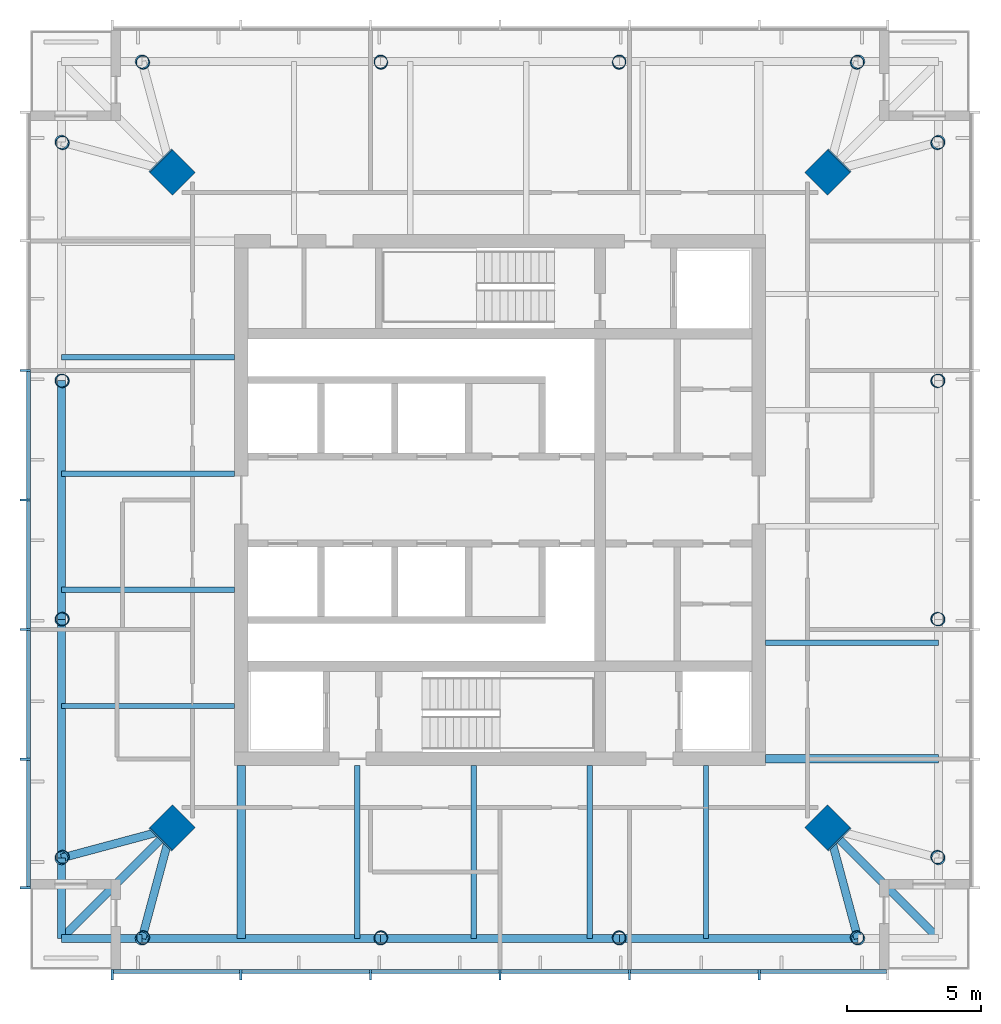
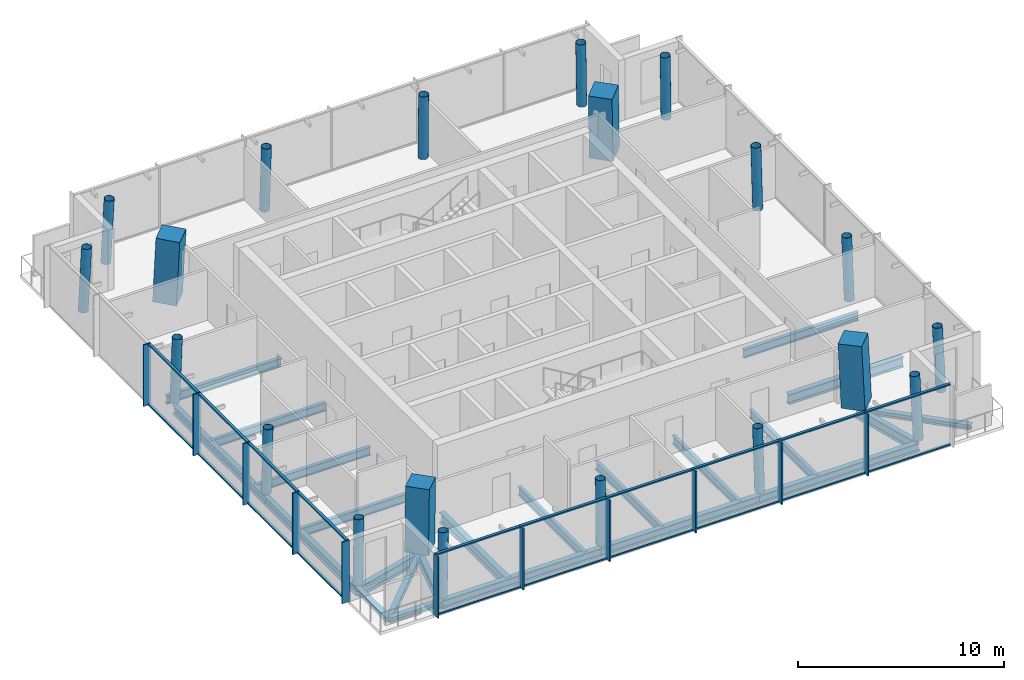
# One storey, part 1 of 7: 31 members, 23 beams, 20 columns, 2 elements without a shape of their own.
"""IFC4 building model written with IfcOpenShell, lengths in metres."""

import ifcopenshell
import ifcopenshell.guid

model = None  # the IFC model being written
_history = None  # IfcOwnerHistory: only IFC2X3 demands one
_inside = {}  # id of a spatial element -> (the spatial element, [elements in it])
_under = {}  # id of a project, library or spatial element -> (it, [spatial elements below it])
_declared = {}  # id of a project -> (the project, [libraries it declares])
_typed = {}  # id of a type object -> (the type object, [elements of that type])
_made_of = {}  # id of a material, layer set ... -> (it, [elements and type objects made of it])


def new_model(schema):
    """Start an empty IFC model of exactly this schema.

    Asked for "IFC4X3", IfcOpenShell would pick the latest addendum, in which some entities
    have other attributes; the version numbers below select the first issue.
    IFC2X3 requires an IfcOwnerHistory on every rooted entity: one is made here for all.
    """
    global model, _history
    if schema == "IFC4X3":
        model = ifcopenshell.file(schema_version=(4, 3, 0, 0))
    else:
        model = ifcopenshell.file(schema=schema)
    _inside.clear()
    _under.clear()
    _declared.clear()
    _typed.clear()
    _made_of.clear()
    _history = None
    if model.schema == "IFC2X3":
        org = make("IfcOrganization", Name="unknown")
        user = make(
            "IfcPersonAndOrganization",
            ThePerson=make("IfcPerson", FamilyName="unknown"),
            TheOrganization=org,
        )
        app = make(
            "IfcApplication",
            ApplicationDeveloper=org,
            Version="unknown",
            ApplicationFullName="unknown",
            ApplicationIdentifier="unknown",
        )
        _history = make(
            "IfcOwnerHistory",
            OwningUser=user,
            OwningApplication=app,
            ChangeAction="ADDED",
            CreationDate=0,
        )
    return model


def make(cls, **values):
    """One entity of the class cls with the attributes given. An attribute that is None is left unset."""
    return model.create_entity(
        cls, **{name: value for name, value in values.items() if value is not None}
    )


def rooted(cls, **values):
    """An entity with a GlobalId (a new one), such as an element, a storey or a relation."""
    return make(cls, GlobalId=ifcopenshell.guid.new(), OwnerHistory=_history, **values)


def si_unit(unit_type, name, prefix=None):
    """IfcSIUnit, for example si_unit("LENGTHUNIT", "METRE", prefix="MILLI")."""
    return make("IfcSIUnit", UnitType=unit_type, Prefix=prefix, Name=name)


def assignment(units):
    """IfcUnitAssignment: the units of a project."""
    return None if units is None else make("IfcUnitAssignment", Units=units)


def point(xyz):
    """IfcCartesianPoint."""
    return None if xyz is None else make("IfcCartesianPoint", Coordinates=xyz)


def direction(xyz):
    """IfcDirection."""
    return None if xyz is None else make("IfcDirection", DirectionRatios=xyz)


def frame(location, z_axis=None, x_axis=None):
    """IfcAxis2Placement3D, a coordinate frame: its origin and axes. An axis left out is left unset."""
    return make(
        "IfcAxis2Placement3D",
        Location=point(location),
        Axis=direction(z_axis),
        RefDirection=direction(x_axis),
    )


def frame_2d(location, x_axis=None):
    """IfcAxis2Placement2D, a coordinate frame in the plane: its origin and x axis."""
    return make(
        "IfcAxis2Placement2D", Location=point(location), RefDirection=direction(x_axis)
    )


def origin():
    """The frame at (0, 0, 0) with its axes left unset."""
    return frame((0.0, 0.0, 0.0))


def origin_2d():
    """The frame at (0, 0) in the plane with its x axis left unset."""
    return frame_2d((0.0, 0.0))


def place(relative_to, where):
    """IfcLocalPlacement: puts the frame where relative to a parent placement (None: the world)."""
    return make(
        "IfcLocalPlacement", PlacementRelTo=relative_to, RelativePlacement=where
    )


def context(
    kind, dimensions, precision=None, world=None, true_north=None, identifier=None
):
    """IfcGeometricRepresentationContext, for example the 3D "Model" context."""
    return make(
        "IfcGeometricRepresentationContext",
        ContextIdentifier=identifier,
        ContextType=kind,
        CoordinateSpaceDimension=dimensions,
        Precision=precision,
        WorldCoordinateSystem=world,
        TrueNorth=true_north,
    )


def subcontext(parent, identifier, kind, view, scale=None):
    """IfcGeometricRepresentationSubContext, for example "Body" below "Model"."""
    return make(
        "IfcGeometricRepresentationSubContext",
        ContextIdentifier=identifier,
        ContextType=kind,
        ParentContext=parent,
        TargetScale=scale,
        TargetView=view,
    )


def project(units=None, contexts=None):
    """IfcProject with its units and contexts."""
    return rooted(
        "IfcProject",
        Name="project",
        RepresentationContexts=contexts,
        UnitsInContext=assignment(units),
    )


def spatial(cls, under=None, at=None, **own):
    """A site, building, storey or space (cls), placed at a placement, below another one or the project."""
    s = rooted(cls, ObjectPlacement=at, **own)
    if under is not None:
        _under.setdefault(under.id(), (under, []))[1].append(s)
    return s


def profile(cls, at=None, kind="AREA", **sizes):
    """A parametric profile (cls). Its sizes go by their IFC names, for example OverallWidth=200.0."""
    return make(cls, ProfileType=kind, Position=at, **sizes)


def rectangle(**sizes):
    """IfcRectangleProfileDef."""
    return profile("IfcRectangleProfileDef", **sizes)


def hollow_circle(**sizes):
    """IfcCircleHollowProfileDef."""
    return profile("IfcCircleHollowProfileDef", **sizes)


def i_section(**sizes):
    """IfcIShapeProfileDef."""
    return profile("IfcIShapeProfileDef", **sizes)


def extrude(swept, where, along, depth):
    """IfcExtrudedAreaSolid: the profile swept, set in the frame where, extruded along a direction by depth."""
    return make(
        "IfcExtrudedAreaSolid",
        SweptArea=swept,
        Position=where,
        ExtrudedDirection=direction(along),
        Depth=depth,
    )


def shape(context_of_items, identifier, shape_type, items):
    """IfcShapeRepresentation: the items that make up one representation, for example the "Body"."""
    return make(
        "IfcShapeRepresentation",
        ContextOfItems=context_of_items,
        RepresentationIdentifier=identifier,
        RepresentationType=shape_type,
        Items=items,
    )


def material(Name=None, Category=None):
    """IfcMaterial."""
    return make("IfcMaterial", Name=Name, Category=Category)


def material_profile(
    of_material, cross_section, Name=None, Category=None, Priority=None
):
    """IfcMaterialProfile: a cross section and its material."""
    return make(
        "IfcMaterialProfile",
        Name=Name,
        Material=of_material,
        Profile=cross_section,
        Priority=Priority,
        Category=Category,
    )


def profile_set(profiles, Name=None, composite=None):
    """IfcMaterialProfileSet."""
    return make(
        "IfcMaterialProfileSet",
        Name=Name,
        MaterialProfiles=profiles,
        CompositeProfile=composite,
    )


def made_of(thing, what):
    """Note that an element or type object is made of a material, layer set ...; save() writes the relation."""
    if what is not None:
        _made_of.setdefault(what.id(), (what, []))[1].append(thing)
    return thing


def type_object(cls, material=None, **own):
    """A type object (cls), such as IfcWallType, which elements share."""
    return made_of(rooted(cls, **own), material)


def element(
    cls,
    number,
    at=None,
    inside=None,
    cuts=None,
    type_object=None,
    material=None,
    context=None,
    identifier="Body",
    shape_type=None,
    held_by="IfcProductDefinitionShape",
    body=None,
    shapes=None,
    **own,
):
    """One element of the class cls, such as IfcWall. Its Tag is "e" and its number.

    at: its placement. inside: the storey or other place that contains it. cuts: it is an
    opening in that element (IfcRelVoidsElement). A single representation is given by context,
    identifier, shape_type and body (its items); several are given by shapes. held_by: the class
    of the entity that holds the representations. save() writes the other relations.
    """
    e = rooted(cls, Tag="e%d" % number, ObjectPlacement=at, **own)
    if body is not None:
        shapes = [shape(context, identifier, shape_type, body)]
    if shapes is not None:
        e.Representation = make(held_by, Representations=shapes)
    if inside is not None:
        _inside.setdefault(inside.id(), (inside, []))[1].append(e)
    if cuts is not None:
        rooted(
            "IfcRelVoidsElement", RelatingBuildingElement=cuts, RelatedOpeningElement=e
        )
    if type_object is not None:
        _typed.setdefault(type_object.id(), (type_object, []))[1].append(e)
    return made_of(e, material)


def aggregate(whole, parts):
    """IfcRelAggregates: a whole, such as a stair, and the parts it consists of."""
    return rooted("IfcRelAggregates", RelatingObject=whole, RelatedObjects=parts)


def save(model, path):
    """Write the relations noted so far, then the file.

    IfcRelAggregates (storeys below a building ...), IfcRelContainedInSpatialStructure (elements
    in a storey), IfcRelDefinesByType, IfcRelAssociatesMaterial and IfcRelDeclares: one each for
    every whole, place, type object, material and project.
    """
    for whole, parts in _under.values():
        aggregate(whole, parts)
    for where, things in _inside.values():
        rooted(
            "IfcRelContainedInSpatialStructure",
            RelatedElements=things,
            RelatingStructure=where,
        )
    for kind, things in _typed.values():
        rooted("IfcRelDefinesByType", RelatedObjects=things, RelatingType=kind)
    for what, things in _made_of.values():
        rooted("IfcRelAssociatesMaterial", RelatedObjects=things, RelatingMaterial=what)
    for by, libraries in _declared.values():
        rooted("IfcRelDeclares", RelatingContext=by, RelatedDefinitions=libraries)
    model.write(path)


model = new_model("IFC4")

# Units and contexts
model_context = context("Model", 3, precision=1e-05, world=origin(), true_north=direction((0.0, 1.0)))
body_context = subcontext(model_context, "Body", "Model", "MODEL_VIEW")
ifc_project = project(units=[si_unit("LENGTHUNIT", "METRE"), si_unit("AREAUNIT", "SQUARE_METRE"), si_unit("VOLUMEUNIT", "CUBIC_METRE"), si_unit("PLANEANGLEUNIT", "RADIAN"), si_unit("MASSUNIT", "GRAM", prefix="KILO")], contexts=[model_context])

# Site, building, storey
site_placement = place(None, origin())
site = spatial("IfcSite", under=ifc_project, at=site_placement, CompositionType="ELEMENT")
building_placement = place(site_placement, origin())
building = spatial("IfcBuilding", under=site, at=building_placement, Name="Ostroluk Exchange", CompositionType="ELEMENT")
storey_placement = place(building_placement, frame((0.0, 0.0, 260.39990234375)))
storey = spatial("IfcBuildingStorey", under=building, at=storey_placement, Name="L67", CompositionType="ELEMENT", Elevation=260.39990234375)

# Columns
ifc_material_1 = material(Name="Concrete C50/60", Category="concrete")
ifc_material_profile_1 = material_profile(ifc_material_1, rectangle(XDim=1.199951171875, YDim=1.199951171875, at=origin_2d()), Name="RC 1200x1200")
ifc_profile_set_1 = profile_set([ifc_material_profile_1], Name="Concrete C50/60")
column_type_1 = type_object("IfcColumnType", Name="Mega column RC 1200x1200", PredefinedType="COLUMN", material=ifc_profile_set_1)
for number, where, z_axis, x_axis, name in (
    (1, (57.25, 58.25, 0.0), (-0.031898107953, -0.031898107953, 0.998981992539), (0.707106781187, -0.707106781187, 0.0), "T1 mega column NE"),
    (2, (32.75, 58.25, 0.0), (0.031898107953, -0.031898107953, 0.998981992539), (0.707106781187, 0.707106781187, 0.0), "T1 mega column NW"),
    (3, (32.75, 33.75, 0.0), (0.031898107953, 0.031898107953, 0.998981992539), (-0.707106781187, 0.707106781187, 0.0), "T1 mega column SW"),
    (4, (57.25, 33.75, 0.0), (-0.031898107953, 0.031898107953, 0.998981992539), (-0.707106781187, -0.707106781187, 0.0), "T1 mega column SE"),
):
    element("IfcColumn", number, at=place(storey_placement, frame(where, z_axis=z_axis, x_axis=x_axis)), inside=storey, type_object=column_type_1, Name=name, PredefinedType="COLUMN", context=body_context, shape_type="SweptSolid", body=[
        extrude(rectangle(XDim=1.199951171875, YDim=1.199951171875, at=origin_2d()), origin(), (0.0, 0.0, 1.0), 3.803955078125),
    ])
ifc_material_2 = material(Name="Steel S460", Category="steel")
ifc_material_profile_2 = material_profile(ifc_material_2, hollow_circle(Radius=0.25390625, WallThickness=0.02001953125, at=origin_2d()), Name="CHS 508x20")
ifc_profile_set_2 = profile_set([ifc_material_profile_2], Name="Steel S460")
column_type_2 = type_object("IfcColumnType", Name="Perimeter column CHS 508x20", PredefinedType="COLUMN", material=ifc_profile_set_2)
for number, where, z_axis, x_axis, name in (
    (5, (61.35009765625, 32.64990234375, 0.0), (-0.031962158256, 0.031962158256, 0.998977898093), (-0.707106781187, -0.707106781187, 0.0), "T1 east face column E0"),
    (6, (61.35009765625, 59.35009765625, 0.0), (-0.031962158256, -0.031962158256, 0.998977898093), (0.707106781187, -0.707106781187, 0.0), "T1 east face column E1"),
):
    element("IfcColumn", number, at=place(storey_placement, frame(where, z_axis=z_axis, x_axis=x_axis)), inside=storey, type_object=column_type_2, Name=name, PredefinedType="COLUMN", context=body_context, shape_type="SweptSolid", body=[
        extrude(hollow_circle(Radius=0.25390625, WallThickness=0.02001953125, at=origin_2d()), origin(), (0.0, 0.0, 1.0), 3.803955078125),
    ])
for number, where, z_axis, x_axis, name in (
    (7, (61.35009765625, 41.550048828125, 0.0), (-0.031976680097, 0.010658893366, 0.999431778523), (-0.316227766017, -0.948683298051, 0.0), "T1 east face column I1"),
    (8, (61.35009765625, 50.449951171875, 0.0), (-0.031976680097, -0.010658893366, 0.999431778523), (0.316227766017, -0.948683298051, 0.0), "T1 east face column I2"),
):
    element("IfcColumn", number, at=place(storey_placement, frame(where, z_axis=z_axis, x_axis=x_axis)), inside=storey, type_object=column_type_2, Name=name, PredefinedType="COLUMN", context=body_context, shape_type="SweptSolid", body=[
        extrude(hollow_circle(Radius=0.25390625, WallThickness=0.02001953125, at=origin_2d()), origin(), (0.0, 0.0, 1.0), 3.80224609375),
    ])
for number, where, z_axis, x_axis, name in (
    (9, (58.35009765625, 62.35009765625, 0.0), (-0.031962158256, -0.031962158256, 0.998977898093), (0.707106781187, -0.707106781187, 0.0), "T1 north face column E0"),
    (10, (31.64990234375, 62.35009765625, 0.0), (0.031962158256, -0.031962158256, 0.998977898093), (0.707106781187, 0.707106781187, 0.0), "T1 north face column E1"),
):
    element("IfcColumn", number, at=place(storey_placement, frame(where, z_axis=z_axis, x_axis=x_axis)), inside=storey, type_object=column_type_2, Name=name, PredefinedType="COLUMN", context=body_context, shape_type="SweptSolid", body=[
        extrude(hollow_circle(Radius=0.25390625, WallThickness=0.02001953125, at=origin_2d()), origin(), (0.0, 0.0, 1.0), 3.803955078125),
    ])
for number, where, z_axis, x_axis, name in (
    (11, (49.449951171875, 62.35009765625, 0.0), (-0.010658893366, -0.031976680097, 0.999431778523), (0.948683298051, -0.316227766017, 0.0), "T1 north face column I1"),
    (12, (40.550048828125, 62.35009765625, 0.0), (0.010658893366, -0.031976680097, 0.999431778523), (0.948683298051, 0.316227766017, 0.0), "T1 north face column I2"),
):
    element("IfcColumn", number, at=place(storey_placement, frame(where, z_axis=z_axis, x_axis=x_axis)), inside=storey, type_object=column_type_2, Name=name, PredefinedType="COLUMN", context=body_context, shape_type="SweptSolid", body=[
        extrude(hollow_circle(Radius=0.25390625, WallThickness=0.02001953125, at=origin_2d()), origin(), (0.0, 0.0, 1.0), 3.80224609375),
    ])
for number, where, z_axis, x_axis, name in (
    (13, (28.64990234375, 59.35009765625, 0.0), (0.031962158256, -0.031962158256, 0.998977898093), (0.707106781187, 0.707106781187, 0.0), "T1 west face column E0"),
    (14, (28.64990234375, 32.64990234375, 0.0), (0.031962158256, 0.031962158256, 0.998977898093), (-0.707106781187, 0.707106781187, 0.0), "T1 west face column E1"),
):
    element("IfcColumn", number, at=place(storey_placement, frame(where, z_axis=z_axis, x_axis=x_axis)), inside=storey, type_object=column_type_2, Name=name, PredefinedType="COLUMN", context=body_context, shape_type="SweptSolid", body=[
        extrude(hollow_circle(Radius=0.25390625, WallThickness=0.02001953125, at=origin_2d()), origin(), (0.0, 0.0, 1.0), 3.803955078125),
    ])
for number, where, z_axis, x_axis, name in (
    (15, (28.64990234375, 50.449951171875, 0.0), (0.031976680097, -0.010658893366, 0.999431778523), (0.316227766017, 0.948683298051, 0.0), "T1 west face column I1"),
    (16, (28.64990234375, 41.550048828125, 0.0), (0.031976680097, 0.010658893366, 0.999431778523), (-0.316227766017, 0.948683298051, 0.0), "T1 west face column I2"),
):
    element("IfcColumn", number, at=place(storey_placement, frame(where, z_axis=z_axis, x_axis=x_axis)), inside=storey, type_object=column_type_2, Name=name, PredefinedType="COLUMN", context=body_context, shape_type="SweptSolid", body=[
        extrude(hollow_circle(Radius=0.25390625, WallThickness=0.02001953125, at=origin_2d()), origin(), (0.0, 0.0, 1.0), 3.80224609375),
    ])
for number, where, z_axis, x_axis, name in (
    (17, (31.64990234375, 29.64990234375, 0.0), (0.031962158256, 0.031962158256, 0.998977898093), (-0.707106781187, 0.707106781187, 0.0), "T1 south face column E0"),
    (18, (58.35009765625, 29.64990234375, 0.0), (-0.031962158256, 0.031962158256, 0.998977898093), (-0.707106781187, -0.707106781187, 0.0), "T1 south face column E1"),
):
    element("IfcColumn", number, at=place(storey_placement, frame(where, z_axis=z_axis, x_axis=x_axis)), inside=storey, type_object=column_type_2, Name=name, PredefinedType="COLUMN", context=body_context, shape_type="SweptSolid", body=[
        extrude(hollow_circle(Radius=0.25390625, WallThickness=0.02001953125, at=origin_2d()), origin(), (0.0, 0.0, 1.0), 3.803955078125),
    ])
for number, where, z_axis, x_axis, name in (
    (19, (40.550048828125, 29.64990234375, 0.0), (0.010658893366, 0.031976680097, 0.999431778523), (-0.948683298051, 0.316227766017, 0.0), "T1 south face column I1"),
    (20, (49.449951171875, 29.64990234375, 0.0), (-0.010658893366, 0.031976680097, 0.999431778523), (-0.948683298051, -0.316227766017, 0.0), "T1 south face column I2"),
):
    element("IfcColumn", number, at=place(storey_placement, frame(where, z_axis=z_axis, x_axis=x_axis)), inside=storey, type_object=column_type_2, Name=name, PredefinedType="COLUMN", context=body_context, shape_type="SweptSolid", body=[
        extrude(hollow_circle(Radius=0.25390625, WallThickness=0.02001953125, at=origin_2d()), origin(), (0.0, 0.0, 1.0), 3.80224609375),
    ])

# Beams
ifc_material_3 = material(Name="Steel S355", Category="steel")
ifc_material_profile_3 = material_profile(ifc_material_3, i_section(OverallWidth=0.300048828125, OverallDepth=0.300048828125, WebThickness=0.010986328125, FlangeThickness=0.01904296875, FilletRadius=0.027099609375, at=origin_2d()), Name="HEB 300")
ifc_profile_set_3 = profile_set([ifc_material_profile_3], Name="Steel S355")
beam_type_1 = type_object("IfcBeamType", Name="Balcony beam HEB 300", PredefinedType="BEAM", material=ifc_profile_set_3)
for number, where, z_axis, x_axis, name in (
    (21, (28.64990234375, 32.64990234375, -0.329833984375), (0.0, -1.0, 0.0), (1.0, 0.0, 0.0), "T1 west balcony beam a"),
    (22, (31.64990234375, 29.64990234375, -0.329833984375), (-1.0, 0.0, 0.0), (0.0, -1.0, 0.0), "T1 west balcony beam b"),
):
    element("IfcBeam", number, at=place(storey_placement, frame(where, z_axis=z_axis, x_axis=x_axis)), inside=storey, type_object=beam_type_1, Name=name, PredefinedType="BEAM", context=body_context, shape_type="SweptSolid", body=[
        extrude(i_section(OverallWidth=0.300048828125, OverallDepth=0.300048828125, WebThickness=0.010986328125, FlangeThickness=0.01904296875, FilletRadius=0.027099609375, at=origin_2d()), origin(), (0.0, 0.0, 1.0), 3.0),
    ])
for number, where, z_axis, x_axis, name in (
    (23, (32.75, 33.75, -0.329833984375), (-0.707106781187, -0.707106781187, 0.0), (0.707106781187, -0.707106781187, 0.0), "T1 west balcony beam c"),
    (24, (57.25, 33.75, -0.329833984375), (0.707106781187, -0.707106781187, 0.0), (0.707106781187, 0.707106781187, 0.0), "T1 south balcony beam c"),
):
    element("IfcBeam", number, at=place(storey_placement, frame(where, z_axis=z_axis, x_axis=x_axis)), inside=storey, type_object=beam_type_1, Name=name, PredefinedType="BEAM", context=body_context, shape_type="SweptSolid", body=[
        extrude(i_section(OverallWidth=0.300048828125, OverallDepth=0.300048828125, WebThickness=0.010986328125, FlangeThickness=0.01904296875, FilletRadius=0.027099609375, at=origin_2d()), origin(), (0.0, 0.0, 1.0), 5.79833984375),
    ])
ifc_material_4 = material(Name="Steel S355", Category="steel")
ifc_material_profile_4 = material_profile(ifc_material_4, i_section(OverallWidth=0.300048828125, OverallDepth=0.60009765625, WebThickness=0.015380859375, FlangeThickness=0.030029296875, FilletRadius=0.027099609375, at=origin_2d()), Name="HEB 600")
ifc_profile_set_4 = profile_set([ifc_material_profile_4], Name="Steel S355")
beam_type_2 = type_object("IfcBeamType", Name="Corner edge beam HEB 600", PredefinedType="SPANDREL", material=ifc_profile_set_4)
for number, where, z_axis, x_axis, name in (
    (25, (32.75, 33.75, -0.47998046875), (-0.965838624319, -0.259144268261, 0.0), (0.259144268261, -0.965838624319, 0.0), "T1 west corner edge beam a"),
    (26, (32.75, 33.75, -0.47998046875), (-0.259144268261, -0.965838624319, 0.0), (0.965838624319, -0.259144268261, 0.0), "T1 west corner edge beam b"),
    (27, (57.25, 33.75, -0.47998046875), (0.259144268261, -0.965838624319, 0.0), (0.965838624319, 0.259144268261, 0.0), "T1 south corner edge beam a"),
):
    element("IfcBeam", number, at=place(storey_placement, frame(where, z_axis=z_axis, x_axis=x_axis)), inside=storey, type_object=beam_type_2, Name=name, PredefinedType="SPANDREL", context=body_context, shape_type="SweptSolid", body=[
        extrude(i_section(OverallWidth=0.300048828125, OverallDepth=0.60009765625, WebThickness=0.015380859375, FlangeThickness=0.030029296875, FilletRadius=0.027099609375, at=origin_2d()), origin(), (0.0, 0.0, 1.0), 4.2451171875),
    ])
ifc_material_5 = material(Name="Steel S355", Category="steel")
ifc_material_profile_5 = material_profile(ifc_material_5, i_section(OverallWidth=0.199951171875, OverallDepth=0.5, WebThickness=0.01025390625, FlangeThickness=0.01611328125, FilletRadius=0.02099609375, at=origin_2d()), Name="IPE 500")
ifc_profile_set_5 = profile_set([ifc_material_profile_5], Name="Steel S355")
beam_type_3 = type_object("IfcBeamType", Name="Floor beam IPE 500", PredefinedType="BEAM", material=ifc_profile_set_5)
for number, where, z_axis, x_axis, name in (
    (28, (54.89990234375, 40.683349609375, -0.429931640625), (1.0, 0.0, 0.0), (0.0, 1.0, 0.0), "T1 east floor beam 1"),
    (29, (35.10009765625, 51.316650390625, -0.429931640625), (-1.0, 0.0, 0.0), (0.0, -1.0, 0.0), "T1 west floor beam 1"),
    (30, (35.10009765625, 46.9833984375, -0.429931640625), (-1.0, 0.0, 0.0), (0.0, -1.0, 0.0), "T1 west floor beam 2"),
    (31, (35.10009765625, 42.64990234375, -0.429931640625), (-1.0, 0.0, 0.0), (0.0, -1.0, 0.0), "T1 west floor beam 3"),
    (32, (35.10009765625, 38.316650390625, -0.429931640625), (-1.0, 0.0, 0.0), (0.0, -1.0, 0.0), "T1 west floor beam 4"),
    (33, (39.683349609375, 36.10009765625, -0.429931640625), (0.0, -1.0, 0.0), (1.0, 0.0, 0.0), "T1 south floor beam 1"),
    (34, (44.0166015625, 36.10009765625, -0.429931640625), (0.0, -1.0, 0.0), (1.0, 0.0, 0.0), "T1 south floor beam 2"),
    (35, (48.35009765625, 36.10009765625, -0.429931640625), (0.0, -1.0, 0.0), (1.0, 0.0, 0.0), "T1 south floor beam 3"),
    (36, (52.683349609375, 36.10009765625, -0.429931640625), (0.0, -1.0, 0.0), (1.0, 0.0, 0.0), "T1 south floor beam 4"),
):
    element("IfcBeam", number, at=place(storey_placement, frame(where, z_axis=z_axis, x_axis=x_axis)), inside=storey, type_object=beam_type_3, Name=name, PredefinedType="BEAM", context=body_context, shape_type="SweptSolid", body=[
        extrude(i_section(OverallWidth=0.199951171875, OverallDepth=0.5, WebThickness=0.01025390625, FlangeThickness=0.01611328125, FilletRadius=0.02099609375, at=origin_2d()), origin(), (0.0, 0.0, 1.0), 6.4501953125),
    ])
ifc_material_6 = material(Name="Steel S355", Category="steel")
ifc_material_profile_6 = material_profile(ifc_material_6, i_section(OverallWidth=0.300048828125, OverallDepth=0.60009765625, WebThickness=0.015380859375, FlangeThickness=0.030029296875, FilletRadius=0.027099609375, at=origin_2d()), Name="HEB 600")
ifc_profile_set_6 = profile_set([ifc_material_profile_6], Name="Steel S355")
beam_type_4 = type_object("IfcBeamType", Name="Girder HEB 600", PredefinedType="BEAM", material=ifc_profile_set_6)
for number, where, z_axis, x_axis, name in (
    (37, (35.35009765625, 36.10009765625, -0.47998046875), (0.0, -1.0, 0.0), (1.0, 0.0, 0.0), "T1 west girder"),
    (38, (54.89990234375, 36.35009765625, -0.47998046875), (1.0, 0.0, 0.0), (0.0, 1.0, 0.0), "T1 south girder"),
):
    element("IfcBeam", number, at=place(storey_placement, frame(where, z_axis=z_axis, x_axis=x_axis)), inside=storey, type_object=beam_type_4, Name=name, PredefinedType="BEAM", context=body_context, shape_type="SweptSolid", body=[
        extrude(i_section(OverallWidth=0.300048828125, OverallDepth=0.60009765625, WebThickness=0.015380859375, FlangeThickness=0.030029296875, FilletRadius=0.027099609375, at=origin_2d()), origin(), (0.0, 0.0, 1.0), 6.4501953125),
    ])
ifc_material_7 = material(Name="Steel S355", Category="steel")
ifc_material_profile_7 = material_profile(ifc_material_7, i_section(OverallWidth=0.300048828125, OverallDepth=0.5, WebThickness=0.014404296875, FlangeThickness=0.028076171875, FilletRadius=0.027099609375, at=origin_2d()), Name="HEB 500")
ifc_profile_set_7 = profile_set([ifc_material_profile_7], Name="Steel S355")
beam_type_5 = type_object("IfcBeamType", Name="Moment-connected edge beam HEB 500", PredefinedType="SPANDREL", material=ifc_profile_set_7)
beam_1_placement = place(storey_placement, frame((28.64990234375, 50.449951171875, -0.429931640625), z_axis=(0.0, -1.0, 0.0), x_axis=(1.0, 0.0, 0.0)))
element("IfcBeam", 39, at=beam_1_placement, inside=storey, type_object=beam_type_5, Name="T1 west edge beam 2", PredefinedType="SPANDREL", context=body_context, shape_type="SweptSolid", body=[
    extrude(i_section(OverallWidth=0.300048828125, OverallDepth=0.5, WebThickness=0.014404296875, FlangeThickness=0.028076171875, FilletRadius=0.027099609375, at=origin_2d()), origin(), (0.0, 0.0, 1.0), 8.89990234375),
])
for number, where, z_axis, x_axis, name in (
    (40, (28.64990234375, 41.550048828125, -0.429931640625), (0.0, -1.0, 0.0), (1.0, 0.0, 0.0), "T1 west edge beam 3"),
    (41, (31.64990234375, 29.64990234375, -0.429931640625), (1.0, 0.0, 0.0), (0.0, 1.0, 0.0), "T1 south edge beam 1"),
):
    element("IfcBeam", number, at=place(storey_placement, frame(where, z_axis=z_axis, x_axis=x_axis)), inside=storey, type_object=beam_type_5, Name=name, PredefinedType="SPANDREL", context=body_context, shape_type="SweptSolid", body=[
        extrude(i_section(OverallWidth=0.300048828125, OverallDepth=0.5, WebThickness=0.014404296875, FlangeThickness=0.028076171875, FilletRadius=0.027099609375, at=origin_2d()), origin(), (0.0, 0.0, 1.0), 8.900146484375),
    ])
beam_2_placement = place(storey_placement, frame((40.550048828125, 29.64990234375, -0.429931640625), z_axis=(1.0, 0.0, 0.0), x_axis=(0.0, 1.0, 0.0)))
element("IfcBeam", 42, at=beam_2_placement, inside=storey, type_object=beam_type_5, Name="T1 south edge beam 2", PredefinedType="SPANDREL", context=body_context, shape_type="SweptSolid", body=[
    extrude(i_section(OverallWidth=0.300048828125, OverallDepth=0.5, WebThickness=0.014404296875, FlangeThickness=0.028076171875, FilletRadius=0.027099609375, at=origin_2d()), origin(), (0.0, 0.0, 1.0), 8.89990234375),
])
beam_3_placement = place(storey_placement, frame((49.449951171875, 29.64990234375, -0.429931640625), z_axis=(1.0, 0.0, 0.0), x_axis=(0.0, 1.0, 0.0)))
element("IfcBeam", 43, at=beam_3_placement, inside=storey, type_object=beam_type_5, Name="T1 south edge beam 3", PredefinedType="SPANDREL", context=body_context, shape_type="SweptSolid", body=[
    extrude(i_section(OverallWidth=0.300048828125, OverallDepth=0.5, WebThickness=0.014404296875, FlangeThickness=0.028076171875, FilletRadius=0.027099609375, at=origin_2d()), origin(), (0.0, 0.0, 1.0), 8.900146484375),
])

# Curtain wall, members
ifc_material_8 = material(Name="Laminated clear glass", Category="glass")
curtain_wall_type = type_object("IfcCurtainWallType", Name="Office tower facade", PredefinedType="USERDEFINED", material=ifc_material_8)
curtain_wall_1_placement = place(storey_placement, origin())
curtain_wall_1 = element("IfcCurtainWall", 44, at=curtain_wall_1_placement, inside=storey, type_object=curtain_wall_type, Name="Office tower south facade L67", ObjectType="UNITISED CURTAIN WALL", PredefinedType="USERDEFINED")
ifc_material_9 = material(Name="Aluminium mullion", Category="aluminium")
ifc_material_profile_8 = material_profile(ifc_material_9, rectangle(XDim=0.14990234375, YDim=0.080078125, at=origin_2d()), Name="Sill transom 80 x 150")
ifc_profile_set_8 = profile_set([ifc_material_profile_8], Name="Aluminium mullion")
member_type_1 = type_object("IfcMemberType", Name="Sill transom 80 x 150", PredefinedType="USERDEFINED", material=ifc_profile_set_8)
member_1_placement = place(storey_placement, frame((30.580078125, 28.425048828125, 0.0400390625), z_axis=(1.0, 0.0, 0.0), x_axis=(0.0, 1.0, 0.0)))
member_1 = element("IfcMember", 45, at=member_1_placement, type_object=member_type_1, Name="CW-O1 transom 1.1", ObjectType="TRANSOM", PredefinedType="USERDEFINED", context=body_context, shape_type="SweptSolid", body=[
    extrude(rectangle(XDim=0.14990234375, YDim=0.080078125, at=origin_2d()), origin(), (0.0, 0.0, 1.0), 4.713134765625),
])
member_2_placement = place(storey_placement, frame((30.580078125, 28.425048828125, 3.610107421875), z_axis=(1.0, 0.0, 0.0), x_axis=(0.0, 1.0, 0.0)))
member_2 = element("IfcMember", 46, at=member_2_placement, type_object=member_type_1, Name="CW-O1 transom 1.2", ObjectType="TRANSOM", PredefinedType="USERDEFINED", context=body_context, shape_type="SweptSolid", body=[
    extrude(rectangle(XDim=0.14990234375, YDim=0.080078125, at=origin_2d()), origin(), (0.0, 0.0, 1.0), 4.713134765625),
])
member_3_placement = place(storey_placement, frame((35.373291015625, 28.425048828125, 0.0400390625), z_axis=(1.0, 0.0, 0.0), x_axis=(0.0, 1.0, 0.0)))
member_3 = element("IfcMember", 47, at=member_3_placement, type_object=member_type_1, Name="CW-O1 transom 2.1", ObjectType="TRANSOM", PredefinedType="USERDEFINED", context=body_context, shape_type="SweptSolid", body=[
    extrude(rectangle(XDim=0.14990234375, YDim=0.080078125, at=origin_2d()), origin(), (0.0, 0.0, 1.0), 4.75341796875),
])
member_4_placement = place(storey_placement, frame((35.373291015625, 28.425048828125, 3.610107421875), z_axis=(1.0, 0.0, 0.0), x_axis=(0.0, 1.0, 0.0)))
member_4 = element("IfcMember", 48, at=member_4_placement, type_object=member_type_1, Name="CW-O1 transom 2.2", ObjectType="TRANSOM", PredefinedType="USERDEFINED", context=body_context, shape_type="SweptSolid", body=[
    extrude(rectangle(XDim=0.14990234375, YDim=0.080078125, at=origin_2d()), origin(), (0.0, 0.0, 1.0), 4.75341796875),
])
member_5_placement = place(storey_placement, frame((40.206787109375, 28.425048828125, 0.0400390625), z_axis=(1.0, 0.0, 0.0), x_axis=(0.0, 1.0, 0.0)))
member_5 = element("IfcMember", 49, at=member_5_placement, type_object=member_type_1, Name="CW-O1 transom 3.1", ObjectType="TRANSOM", PredefinedType="USERDEFINED", context=body_context, shape_type="SweptSolid", body=[
    extrude(rectangle(XDim=0.14990234375, YDim=0.080078125, at=origin_2d()), origin(), (0.0, 0.0, 1.0), 4.753173828125),
])
member_6_placement = place(storey_placement, frame((40.206787109375, 28.425048828125, 3.610107421875), z_axis=(1.0, 0.0, 0.0), x_axis=(0.0, 1.0, 0.0)))
member_6 = element("IfcMember", 50, at=member_6_placement, type_object=member_type_1, Name="CW-O1 transom 3.2", ObjectType="TRANSOM", PredefinedType="USERDEFINED", context=body_context, shape_type="SweptSolid", body=[
    extrude(rectangle(XDim=0.14990234375, YDim=0.080078125, at=origin_2d()), origin(), (0.0, 0.0, 1.0), 4.753173828125),
])
member_7_placement = place(storey_placement, frame((45.0400390625, 28.425048828125, 0.0400390625), z_axis=(1.0, 0.0, 0.0), x_axis=(0.0, 1.0, 0.0)))
member_7 = element("IfcMember", 51, at=member_7_placement, type_object=member_type_1, Name="CW-O1 transom 4.1", ObjectType="TRANSOM", PredefinedType="USERDEFINED", context=body_context, shape_type="SweptSolid", body=[
    extrude(rectangle(XDim=0.14990234375, YDim=0.080078125, at=origin_2d()), origin(), (0.0, 0.0, 1.0), 4.753173828125),
])
member_8_placement = place(storey_placement, frame((45.0400390625, 28.425048828125, 3.610107421875), z_axis=(1.0, 0.0, 0.0), x_axis=(0.0, 1.0, 0.0)))
member_8 = element("IfcMember", 52, at=member_8_placement, type_object=member_type_1, Name="CW-O1 transom 4.2", ObjectType="TRANSOM", PredefinedType="USERDEFINED", context=body_context, shape_type="SweptSolid", body=[
    extrude(rectangle(XDim=0.14990234375, YDim=0.080078125, at=origin_2d()), origin(), (0.0, 0.0, 1.0), 4.753173828125),
])
member_9_placement = place(storey_placement, frame((49.873291015625, 28.425048828125, 0.0400390625), z_axis=(1.0, 0.0, 0.0), x_axis=(0.0, 1.0, 0.0)))
member_9 = element("IfcMember", 53, at=member_9_placement, type_object=member_type_1, Name="CW-O1 transom 5.1", ObjectType="TRANSOM", PredefinedType="USERDEFINED", context=body_context, shape_type="SweptSolid", body=[
    extrude(rectangle(XDim=0.14990234375, YDim=0.080078125, at=origin_2d()), origin(), (0.0, 0.0, 1.0), 4.75341796875),
])
member_10_placement = place(storey_placement, frame((49.873291015625, 28.425048828125, 3.610107421875), z_axis=(1.0, 0.0, 0.0), x_axis=(0.0, 1.0, 0.0)))
member_10 = element("IfcMember", 54, at=member_10_placement, type_object=member_type_1, Name="CW-O1 transom 5.2", ObjectType="TRANSOM", PredefinedType="USERDEFINED", context=body_context, shape_type="SweptSolid", body=[
    extrude(rectangle(XDim=0.14990234375, YDim=0.080078125, at=origin_2d()), origin(), (0.0, 0.0, 1.0), 4.75341796875),
])
member_11_placement = place(storey_placement, frame((54.706787109375, 28.425048828125, 0.0400390625), z_axis=(1.0, 0.0, 0.0), x_axis=(0.0, 1.0, 0.0)))
member_11 = element("IfcMember", 55, at=member_11_placement, type_object=member_type_1, Name="CW-O1 transom 6.1", ObjectType="TRANSOM", PredefinedType="USERDEFINED", context=body_context, shape_type="SweptSolid", body=[
    extrude(rectangle(XDim=0.14990234375, YDim=0.080078125, at=origin_2d()), origin(), (0.0, 0.0, 1.0), 4.713134765625),
])
member_12_placement = place(storey_placement, frame((54.706787109375, 28.425048828125, 3.610107421875), z_axis=(1.0, 0.0, 0.0), x_axis=(0.0, 1.0, 0.0)))
member_12 = element("IfcMember", 56, at=member_12_placement, type_object=member_type_1, Name="CW-O1 transom 6.2", ObjectType="TRANSOM", PredefinedType="USERDEFINED", context=body_context, shape_type="SweptSolid", body=[
    extrude(rectangle(XDim=0.14990234375, YDim=0.080078125, at=origin_2d()), origin(), (0.0, 0.0, 1.0), 4.713134765625),
])

curtain_wall_2_placement = place(storey_placement, origin())
curtain_wall_2 = element("IfcCurtainWall", 57, at=curtain_wall_2_placement, inside=storey, type_object=curtain_wall_type, Name="Office tower west facade L67", ObjectType="UNITISED CURTAIN WALL", PredefinedType="USERDEFINED")
member_13_placement = place(storey_placement, frame((27.425048828125, 50.793212890625, 0.0400390625), z_axis=(0.0, -1.0, 0.0), x_axis=(1.0, 0.0, 0.0)))
member_13 = element("IfcMember", 58, at=member_13_placement, type_object=member_type_1, Name="CW-O1 transom 3.1", ObjectType="TRANSOM", PredefinedType="USERDEFINED", context=body_context, shape_type="SweptSolid", body=[
    extrude(rectangle(XDim=0.14990234375, YDim=0.080078125, at=origin_2d()), origin(), (0.0, 0.0, 1.0), 4.753173828125),
])
member_14_placement = place(storey_placement, frame((27.425048828125, 50.793212890625, 3.610107421875), z_axis=(0.0, -1.0, 0.0), x_axis=(1.0, 0.0, 0.0)))
member_14 = element("IfcMember", 59, at=member_14_placement, type_object=member_type_1, Name="CW-O1 transom 3.2", ObjectType="TRANSOM", PredefinedType="USERDEFINED", context=body_context, shape_type="SweptSolid", body=[
    extrude(rectangle(XDim=0.14990234375, YDim=0.080078125, at=origin_2d()), origin(), (0.0, 0.0, 1.0), 4.753173828125),
])
member_15_placement = place(storey_placement, frame((27.425048828125, 45.9599609375, 0.0400390625), z_axis=(0.0, -1.0, 0.0), x_axis=(1.0, 0.0, 0.0)))
member_15 = element("IfcMember", 60, at=member_15_placement, type_object=member_type_1, Name="CW-O1 transom 4.1", ObjectType="TRANSOM", PredefinedType="USERDEFINED", context=body_context, shape_type="SweptSolid", body=[
    extrude(rectangle(XDim=0.14990234375, YDim=0.080078125, at=origin_2d()), origin(), (0.0, 0.0, 1.0), 4.753173828125),
])
member_16_placement = place(storey_placement, frame((27.425048828125, 45.9599609375, 3.610107421875), z_axis=(0.0, -1.0, 0.0), x_axis=(1.0, 0.0, 0.0)))
member_16 = element("IfcMember", 61, at=member_16_placement, type_object=member_type_1, Name="CW-O1 transom 4.2", ObjectType="TRANSOM", PredefinedType="USERDEFINED", context=body_context, shape_type="SweptSolid", body=[
    extrude(rectangle(XDim=0.14990234375, YDim=0.080078125, at=origin_2d()), origin(), (0.0, 0.0, 1.0), 4.753173828125),
])
member_17_placement = place(storey_placement, frame((27.425048828125, 41.126708984375, 0.0400390625), z_axis=(0.0, -1.0, 0.0), x_axis=(1.0, 0.0, 0.0)))
member_17 = element("IfcMember", 62, at=member_17_placement, type_object=member_type_1, Name="CW-O1 transom 5.1", ObjectType="TRANSOM", PredefinedType="USERDEFINED", context=body_context, shape_type="SweptSolid", body=[
    extrude(rectangle(XDim=0.14990234375, YDim=0.080078125, at=origin_2d()), origin(), (0.0, 0.0, 1.0), 4.75341796875),
])
member_18_placement = place(storey_placement, frame((27.425048828125, 41.126708984375, 3.610107421875), z_axis=(0.0, -1.0, 0.0), x_axis=(1.0, 0.0, 0.0)))
member_18 = element("IfcMember", 63, at=member_18_placement, type_object=member_type_1, Name="CW-O1 transom 5.2", ObjectType="TRANSOM", PredefinedType="USERDEFINED", context=body_context, shape_type="SweptSolid", body=[
    extrude(rectangle(XDim=0.14990234375, YDim=0.080078125, at=origin_2d()), origin(), (0.0, 0.0, 1.0), 4.75341796875),
])
member_19_placement = place(storey_placement, frame((27.425048828125, 36.293212890625, 0.0400390625), z_axis=(0.0, -1.0, 0.0), x_axis=(1.0, 0.0, 0.0)))
member_19 = element("IfcMember", 64, at=member_19_placement, type_object=member_type_1, Name="CW-O1 transom 6.1", ObjectType="TRANSOM", PredefinedType="USERDEFINED", context=body_context, shape_type="SweptSolid", body=[
    extrude(rectangle(XDim=0.14990234375, YDim=0.080078125, at=origin_2d()), origin(), (0.0, 0.0, 1.0), 4.713134765625),
])
member_20_placement = place(storey_placement, frame((27.425048828125, 36.293212890625, 3.610107421875), z_axis=(0.0, -1.0, 0.0), x_axis=(1.0, 0.0, 0.0)))
member_20 = element("IfcMember", 65, at=member_20_placement, type_object=member_type_1, Name="CW-O1 transom 6.2", ObjectType="TRANSOM", PredefinedType="USERDEFINED", context=body_context, shape_type="SweptSolid", body=[
    extrude(rectangle(XDim=0.14990234375, YDim=0.080078125, at=origin_2d()), origin(), (0.0, 0.0, 1.0), 4.713134765625),
])

# Member
ifc_material_10 = material(Name="Aluminium mullion with limestone facing", Category="masonry")
ifc_material_profile_9 = material_profile(ifc_material_10, rectangle(XDim=0.39990234375, YDim=0.080078125, at=origin_2d()), Name="Tracery mullion 80 x 400")
ifc_profile_set_9 = profile_set([ifc_material_profile_9], Name="Aluminium mullion with limestone facing")
member_type_2 = type_object("IfcMemberType", Name="Tracery mullion 80 x 400", PredefinedType="MULLION", material=ifc_profile_set_9)
member_21_placement = place(storey_placement, frame((30.5400390625, 28.300048828125, 0.0), z_axis=(0.0, 0.0, 1.0), x_axis=(0.0, 1.0, 0.0)))
member_21 = element("IfcMember", 66, at=member_21_placement, type_object=member_type_2, Name="CW-O1 mullion 1", PredefinedType="MULLION", context=body_context, shape_type="SweptSolid", body=[
    extrude(rectangle(XDim=0.39990234375, YDim=0.080078125, at=origin_2d()), origin(), (0.0, 0.0, 1.0), 3.650146484375),
])

member_22_placement = place(storey_placement, frame((35.333251953125, 28.300048828125, 0.0), z_axis=(0.0, 0.0, 1.0), x_axis=(0.0, 1.0, 0.0)))
member_22 = element("IfcMember", 67, at=member_22_placement, type_object=member_type_2, Name="CW-O1 mullion 2", PredefinedType="MULLION", context=body_context, shape_type="SweptSolid", body=[
    extrude(rectangle(XDim=0.39990234375, YDim=0.080078125, at=origin_2d()), origin(), (0.0, 0.0, 1.0), 3.650146484375),
])

member_23_placement = place(storey_placement, frame((40.166748046875, 28.300048828125, 0.0), z_axis=(0.0, 0.0, 1.0), x_axis=(0.0, 1.0, 0.0)))
member_23 = element("IfcMember", 68, at=member_23_placement, type_object=member_type_2, Name="CW-O1 mullion 3", PredefinedType="MULLION", context=body_context, shape_type="SweptSolid", body=[
    extrude(rectangle(XDim=0.39990234375, YDim=0.080078125, at=origin_2d()), origin(), (0.0, 0.0, 1.0), 3.650146484375),
])

member_24_placement = place(storey_placement, frame((45.0, 28.300048828125, 0.0), z_axis=(0.0, 0.0, 1.0), x_axis=(0.0, 1.0, 0.0)))
member_24 = element("IfcMember", 69, at=member_24_placement, type_object=member_type_2, Name="CW-O1 mullion 4", PredefinedType="MULLION", context=body_context, shape_type="SweptSolid", body=[
    extrude(rectangle(XDim=0.39990234375, YDim=0.080078125, at=origin_2d()), origin(), (0.0, 0.0, 1.0), 3.650146484375),
])

member_25_placement = place(storey_placement, frame((49.833251953125, 28.300048828125, 0.0), z_axis=(0.0, 0.0, 1.0), x_axis=(0.0, 1.0, 0.0)))
member_25 = element("IfcMember", 70, at=member_25_placement, type_object=member_type_2, Name="CW-O1 mullion 5", PredefinedType="MULLION", context=body_context, shape_type="SweptSolid", body=[
    extrude(rectangle(XDim=0.39990234375, YDim=0.080078125, at=origin_2d()), origin(), (0.0, 0.0, 1.0), 3.650146484375),
])

member_26_placement = place(storey_placement, frame((54.666748046875, 28.300048828125, 0.0), z_axis=(0.0, 0.0, 1.0), x_axis=(0.0, 1.0, 0.0)))
member_26 = element("IfcMember", 71, at=member_26_placement, type_object=member_type_2, Name="CW-O1 mullion 6", PredefinedType="MULLION", context=body_context, shape_type="SweptSolid", body=[
    extrude(rectangle(XDim=0.39990234375, YDim=0.080078125, at=origin_2d()), origin(), (0.0, 0.0, 1.0), 3.650146484375),
])

aggregate(curtain_wall_1, [member_21, member_22, member_23, member_24, member_25, member_26, member_1, member_2, member_3, member_4, member_5, member_6, member_7, member_8, member_9, member_10, member_11, member_12])

member_27_placement = place(storey_placement, frame((27.300048828125, 50.833251953125, 0.0), z_axis=(0.0, 0.0, 1.0), x_axis=(1.0, 0.0, 0.0)))
member_27 = element("IfcMember", 72, at=member_27_placement, type_object=member_type_2, Name="CW-O1 mullion 3", PredefinedType="MULLION", context=body_context, shape_type="SweptSolid", body=[
    extrude(rectangle(XDim=0.39990234375, YDim=0.080078125, at=origin_2d()), origin(), (0.0, 0.0, 1.0), 3.650146484375),
])

member_28_placement = place(storey_placement, frame((27.300048828125, 46.0, 0.0), z_axis=(0.0, 0.0, 1.0), x_axis=(1.0, 0.0, 0.0)))
member_28 = element("IfcMember", 73, at=member_28_placement, type_object=member_type_2, Name="CW-O1 mullion 4", PredefinedType="MULLION", context=body_context, shape_type="SweptSolid", body=[
    extrude(rectangle(XDim=0.39990234375, YDim=0.080078125, at=origin_2d()), origin(), (0.0, 0.0, 1.0), 3.650146484375),
])

member_29_placement = place(storey_placement, frame((27.300048828125, 41.166748046875, 0.0), z_axis=(0.0, 0.0, 1.0), x_axis=(1.0, 0.0, 0.0)))
member_29 = element("IfcMember", 74, at=member_29_placement, type_object=member_type_2, Name="CW-O1 mullion 5", PredefinedType="MULLION", context=body_context, shape_type="SweptSolid", body=[
    extrude(rectangle(XDim=0.39990234375, YDim=0.080078125, at=origin_2d()), origin(), (0.0, 0.0, 1.0), 3.650146484375),
])

member_30_placement = place(storey_placement, frame((27.300048828125, 36.333251953125, 0.0), z_axis=(0.0, 0.0, 1.0), x_axis=(1.0, 0.0, 0.0)))
member_30 = element("IfcMember", 75, at=member_30_placement, type_object=member_type_2, Name="CW-O1 mullion 6", PredefinedType="MULLION", context=body_context, shape_type="SweptSolid", body=[
    extrude(rectangle(XDim=0.39990234375, YDim=0.080078125, at=origin_2d()), origin(), (0.0, 0.0, 1.0), 3.650146484375),
])

member_31_placement = place(storey_placement, frame((27.300048828125, 31.5400390625, 0.0), z_axis=(0.0, 0.0, 1.0), x_axis=(1.0, 0.0, 0.0)))
member_31 = element("IfcMember", 76, at=member_31_placement, type_object=member_type_2, Name="CW-O1 mullion 7", PredefinedType="MULLION", context=body_context, shape_type="SweptSolid", body=[
    extrude(rectangle(XDim=0.39990234375, YDim=0.080078125, at=origin_2d()), origin(), (0.0, 0.0, 1.0), 3.650146484375),
])

aggregate(curtain_wall_2, [member_27, member_28, member_29, member_30, member_31, member_13, member_14, member_15, member_16, member_17, member_18, member_19, member_20])

save(model, "model.ifc")
